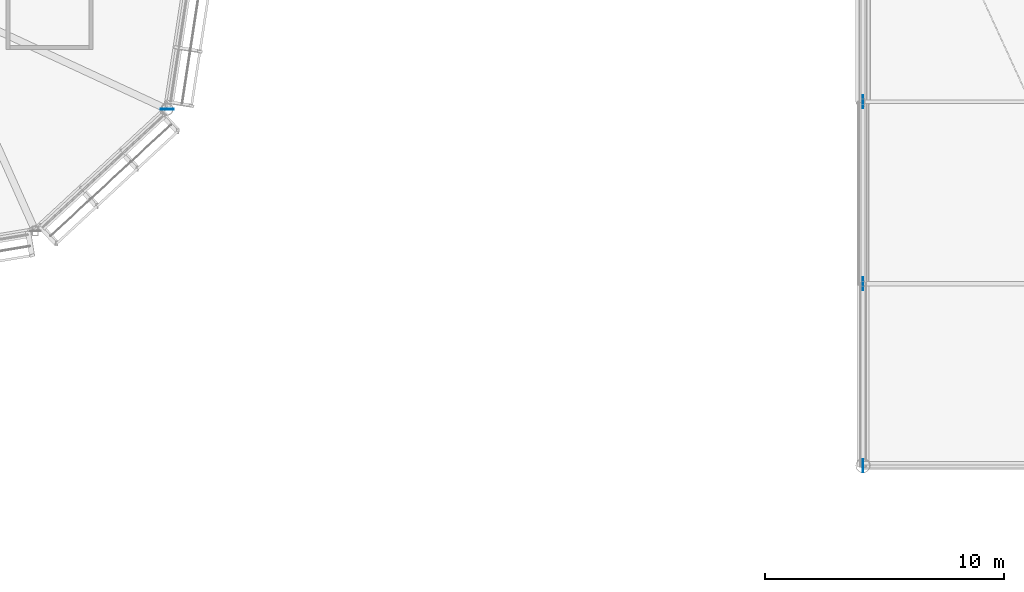
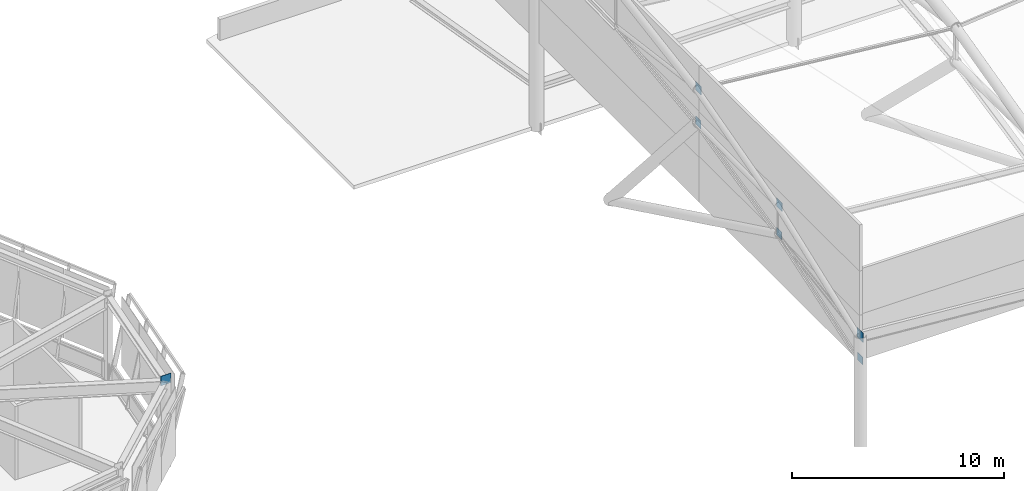
# One storey, part 82 of 113: 7 plates.
"""IFC4 building model written with IfcOpenShell, lengths in metres."""

from ifc_helpers import new_model, si_unit, direction, frame, origin, origin_2d, place, context, subcontext, project, spatial, rectangle, extrude, material, layer, layer_set, type_object, element, save


model = new_model("IFC4")

# Units and contexts
model_context = context("Model", 3, precision=1e-05, world=origin(), true_north=direction((0.0, 1.0)))
body_context = subcontext(model_context, "Body", "Model", "MODEL_VIEW")
ifc_project = project(units=[si_unit("LENGTHUNIT", "METRE"), si_unit("AREAUNIT", "SQUARE_METRE"), si_unit("VOLUMEUNIT", "CUBIC_METRE"), si_unit("PLANEANGLEUNIT", "RADIAN"), si_unit("MASSUNIT", "GRAM", prefix="KILO")], contexts=[model_context])

# Site, building, storey
site_placement = place(None, origin())
site = spatial("IfcSite", under=ifc_project, at=site_placement, CompositionType="ELEMENT")
building_placement = place(site_placement, origin())
building = spatial("IfcBuilding", under=site, at=building_placement, Name="Linyun Crest Stadium", CompositionType="ELEMENT")
storey_placement = place(building_placement, frame((0.0, 0.0, 26.39990234375)))
storey = spatial("IfcBuildingStorey", under=building, at=storey_placement, Name="L06", CompositionType="ELEMENT", Elevation=26.39990234375)

# Plates
ifc_material_1 = material(Name="Steel Q355C", Category="steel")
ifc_layer_1 = layer(ifc_material_1, 0.02001953125)
ifc_layer_set_1 = layer_set([ifc_layer_1], Name="Steel Q355C")
plate_type_1 = type_object("IfcPlateType", Name="EP01", PredefinedType="USERDEFINED", material=ifc_layer_set_1)
plate_1_placement = place(storey_placement, frame((-28.0, 61.0, 6.072998046875), z_axis=(0.0, 0.0, 1.0), x_axis=(0.0, 1.0, 0.0)))
element("IfcPlate", 1, at=plate_1_placement, inside=storey, type_object=plate_type_1, Name="Canopy tip tube end plate EP01 214", ObjectType="END PLATE", PredefinedType="USERDEFINED", context=body_context, shape_type="SweptSolid", body=[
    extrude(rectangle(XDim=0.56005859375, YDim=0.02001953125, at=origin_2d()), origin(), (0.0, 0.0, 1.0), 0.56005859375),
])
ifc_material_2 = material(Name="Steel Q420C", Category="steel")
ifc_layer_2 = layer(ifc_material_2, 0.02392578125)
ifc_layer_set_2 = layer_set([ifc_layer_2], Name="Steel Q420C")
plate_type_2 = type_object("IfcPlateType", Name="EP02", PredefinedType="USERDEFINED", material=ifc_layer_set_2)
plate_2_placement = place(storey_placement, frame((-57.1650390625, 75.93994140625, 4.6708984375), z_axis=(0.0, 0.0, 1.0), x_axis=(1.0, 0.0, 0.0)))
element("IfcPlate", 2, at=plate_2_placement, inside=storey, type_object=plate_type_2, Name="Hollow section cap end plate EP02 343", ObjectType="END PLATE", PredefinedType="USERDEFINED", context=body_context, shape_type="SweptSolid", body=[
    extrude(rectangle(XDim=0.548095703125, YDim=0.02392578125, at=origin_2d()), origin(), (0.0, 0.0, 1.0), 0.548095703125),
])
ifc_material_3 = material(Name="Steel Q355C", Category="steel")
ifc_layer_3 = layer(ifc_material_3, 0.02392578125)
ifc_layer_set_3 = layer_set([ifc_layer_3], Name="Steel Q355C")
plate_type_3 = type_object("IfcPlateType", Name="NP01", PredefinedType="USERDEFINED", material=ifc_layer_set_3)
plate_3_placement = place(storey_placement, frame((-28.0, 68.625, 8.987060546875), z_axis=(0.0, 0.0, 1.0), x_axis=(0.0, 1.0, 0.0)))
element("IfcPlate", 3, at=plate_3_placement, inside=storey, type_object=plate_type_3, Name="Roof truss node gusset plate NP01 213", ObjectType="GUSSET PLATE", PredefinedType="USERDEFINED", context=body_context, shape_type="SweptSolid", body=[
    extrude(rectangle(XDim=0.5400390625, YDim=0.02392578125, at=origin_2d()), origin(), (0.0, 0.0, 1.0), 0.47998046875),
])
for number, where, z_axis, x_axis, name in (
    (4, (-28.0, 76.25, 9.106201171875), (0.0, 0.0, 1.0), (0.0, 1.0, 0.0), "Roof bottom-chord node gusset plate NP01 218"),
    (5, (-28.0, 68.625, 7.343017578125), (0.0, 0.0, 1.0), (0.0, 1.0, 0.0), "Roof bottom-chord node gusset plate NP01 219"),
    (6, (-28.0, 61.0, 4.781005859375), (0.0, 0.0, 1.0), (0.0, 1.0, 0.0), "Roof bottom-chord node gusset plate NP01 220"),
):
    element("IfcPlate", number, at=place(storey_placement, frame(where, z_axis=z_axis, x_axis=x_axis)), inside=storey, type_object=plate_type_3, Name=name, ObjectType="GUSSET PLATE", PredefinedType="USERDEFINED", context=body_context, shape_type="SweptSolid", body=[
        extrude(rectangle(XDim=0.47998046875, YDim=0.02392578125, at=origin_2d()), origin(), (0.0, 0.0, 1.0), 0.43994140625),
    ])
ifc_material_4 = material(Name="Steel Q420C", Category="steel")
ifc_layer_4 = layer(ifc_material_4, 0.035888671875)
ifc_layer_set_4 = layer_set([ifc_layer_4], Name="Steel Q420C")
plate_type_4 = type_object("IfcPlateType", Name="NP04", PredefinedType="USERDEFINED", material=ifc_layer_set_4)
plate_4_placement = place(storey_placement, frame((-28.0, 76.25, 11.06201171875), z_axis=(0.0, 0.0, 1.0), x_axis=(0.0, 1.0, 0.0)))
element("IfcPlate", 7, at=plate_4_placement, inside=storey, type_object=plate_type_4, Name="Roof truss node gusset plate NP04 212", ObjectType="GUSSET PLATE", PredefinedType="USERDEFINED", context=body_context, shape_type="SweptSolid", body=[
    extrude(rectangle(XDim=0.5400390625, YDim=0.035888671875, at=origin_2d()), origin(), (0.0, 0.0, 1.0), 0.47998046875),
])

save(model, "model.ifc")
